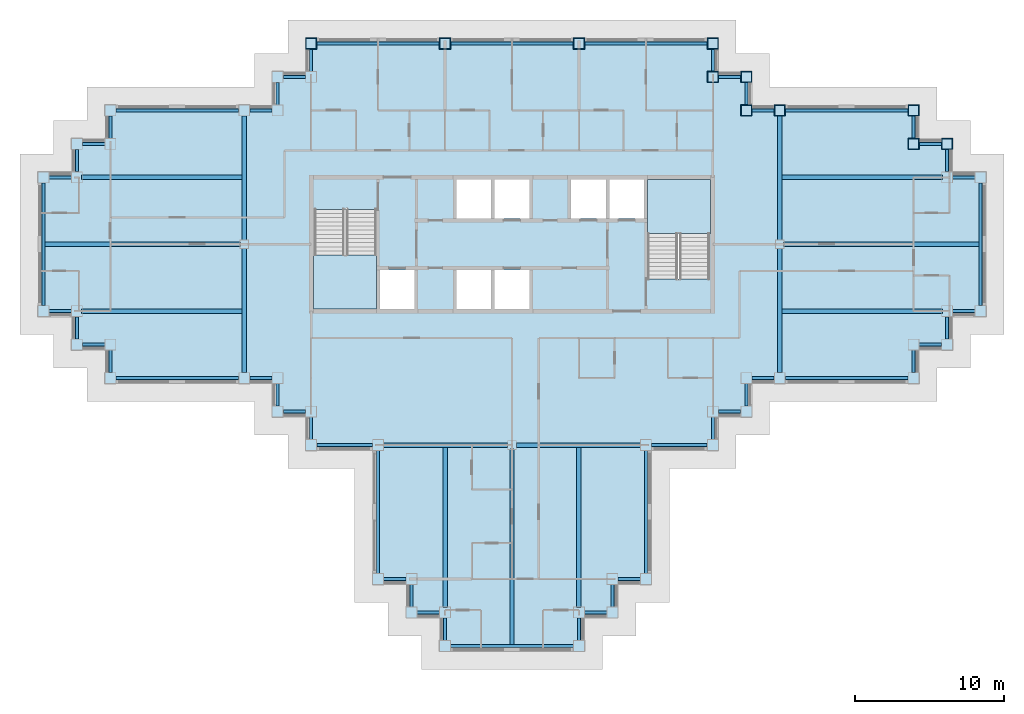
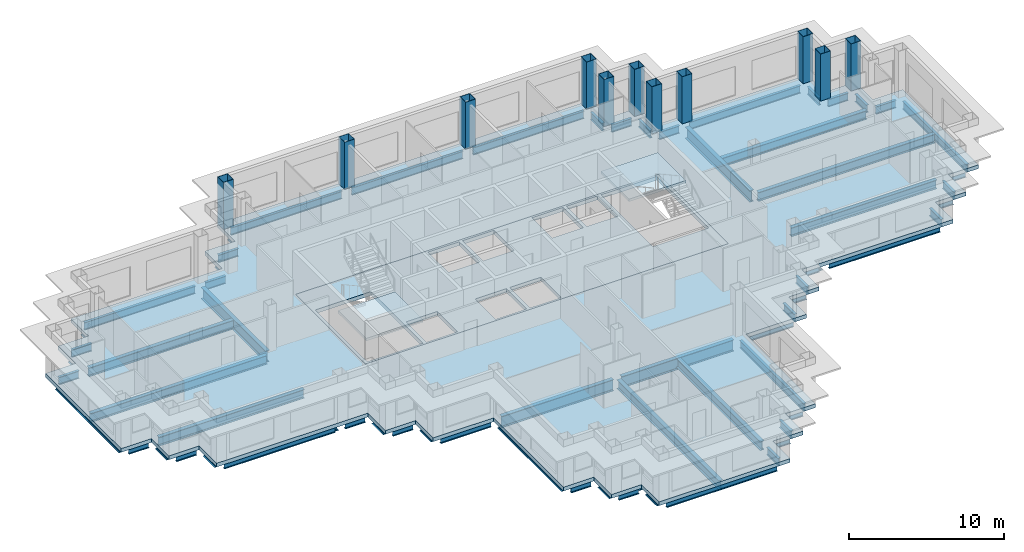
# One storey, part 2 of 13: 69 beams, 11 columns, 4 slabs, 2 elements without a shape of their own.
"""IFC4 building model written with IfcOpenShell, lengths in metres."""

from ifc_helpers import new_model, si_unit, direction, frame, origin, origin_2d, place, context, subcontext, project, spatial, polyline, hollow_rectangle, i_section, outline, extrude, material, layer, layer_set, material_profile, profile_set, type_object, element, aggregate, save


model = new_model("IFC4")

# Units and contexts
model_context = context("Model", 3, precision=1e-05, world=origin(), true_north=direction((0.0, 1.0)))
body_context = subcontext(model_context, "Body", "Model", "MODEL_VIEW")
ifc_project = project(units=[si_unit("LENGTHUNIT", "METRE"), si_unit("AREAUNIT", "SQUARE_METRE"), si_unit("VOLUMEUNIT", "CUBIC_METRE"), si_unit("PLANEANGLEUNIT", "RADIAN"), si_unit("MASSUNIT", "GRAM", prefix="KILO")], contexts=[model_context])

# Site, building, storey
site_placement = place(None, origin())
site = spatial("IfcSite", under=ifc_project, at=site_placement, CompositionType="ELEMENT")
building_placement = place(site_placement, origin())
building = spatial("IfcBuilding", under=site, at=building_placement, Name="Caravel Reach Hotel and Residences", CompositionType="ELEMENT")
storey_placement = place(building_placement, frame((0.0, 0.0, 169.10009765625)))
storey = spatial("IfcBuildingStorey", under=building, at=storey_placement, Name="L42", CompositionType="ELEMENT", Elevation=169.10009765625)

# Columns
ifc_material_1 = material(Name="Concrete-filled steel tube Q390B with Concrete C60 infill", Category="concrete")
ifc_material_profile_1 = material_profile(ifc_material_1, hollow_rectangle(XDim=0.75, YDim=0.75, WallThickness=0.02392578125, at=origin_2d()), Name="RHS 750x750x24")
ifc_profile_set_1 = profile_set([ifc_material_profile_1], Name="Concrete-filled steel tube Q390B with Concrete C60 infill")
column_type = type_object("IfcColumnType", Name="CFT 750x750 Q390B C60", PredefinedType="COLUMN", material=ifc_profile_set_1)
for number, where, z_axis, x_axis, name in (
    (1, (60.75, 33.75, 0.0), (0.0, 0.0, 1.0), (1.0, 0.0, 0.0), "C14 column"),
    (2, (58.5, 33.75, 0.0), (0.0, 0.0, 1.0), (1.0, 0.0, 0.0), "C14 column"),
    (3, (58.5, 36.0, 0.0), (0.0, 0.0, 1.0), (1.0, 0.0, 0.0), "C14 column"),
    (4, (49.5, 36.0, 0.0), (0.0, 0.0, 1.0), (1.0, 0.0, 0.0), "C14 column"),
    (5, (47.25, 36.0, 0.0), (0.0, 0.0, 1.0), (1.0, 0.0, 0.0), "C14 column"),
    (6, (47.25, 38.25, 0.0), (0.0, 0.0, 1.0), (1.0, 0.0, 0.0), "C14 column"),
    (7, (45.0, 38.25, 0.0), (0.0, 0.0, 1.0), (1.0, 0.0, 0.0), "C14 column"),
    (8, (45.0, 40.5, 0.0), (0.0, 0.0, 1.0), (1.0, 0.0, 0.0), "C14 column"),
    (9, (36.0, 40.5, 0.0), (0.0, 0.0, 1.0), (1.0, 0.0, 0.0), "C14 column"),
    (10, (27.0, 40.5, 0.0), (0.0, 0.0, 1.0), (1.0, 0.0, 0.0), "C14 column"),
    (11, (18.0, 40.5, 0.0), (0.0, 0.0, 1.0), (1.0, 0.0, 0.0), "C14 column"),
):
    element("IfcColumn", number, at=place(storey_placement, frame(where, z_axis=z_axis, x_axis=x_axis)), inside=storey, type_object=column_type, Name=name, PredefinedType="COLUMN", context=body_context, shape_type="SweptSolid", body=[
        extrude(hollow_rectangle(XDim=0.75, YDim=0.75, WallThickness=0.02392578125, at=origin_2d()), origin(), (0.0, 0.0, 1.0), 3.699951171875),
    ])

# Beams
ifc_material_2 = material(Name="Structural steel Q355B", Category="steel")
ifc_material_profile_2 = material_profile(ifc_material_2, i_section(OverallWidth=0.300048828125, OverallDepth=0.699951171875, WebThickness=0.012939453125, FlangeThickness=0.02392578125, FilletRadius=0.01806640625, at=origin_2d()), Name="HN 700x300x13x24")
ifc_profile_set_2 = profile_set([ifc_material_profile_2], Name="Structural steel Q355B")
beam_type_1 = type_object("IfcBeamType", Name="Beam HN 700x300x13x24", PredefinedType="BEAM", material=ifc_profile_set_2)
beam_1_placement = place(storey_placement, frame((27.0, 13.39990234375, -0.650146484375), z_axis=(0.0, -1.0, 0.0), x_axis=(1.0, 0.0, 0.0)))
element("IfcBeam", 12, at=beam_1_placement, inside=storey, type_object=beam_type_1, Name="B2 HN 700x300x13x24", PredefinedType="BEAM", context=body_context, shape_type="SweptSolid", body=[
    extrude(i_section(OverallWidth=0.300048828125, OverallDepth=0.699951171875, WebThickness=0.012939453125, FlangeThickness=0.02392578125, FilletRadius=0.01806640625, at=origin_2d()), origin(), (0.0, 0.0, 1.0), 10.824951171875),
])
beam_2_placement = place(storey_placement, frame((31.5, 13.25, -0.650146484375), z_axis=(0.0, -1.0, 0.0), x_axis=(1.0, 0.0, 0.0)))
element("IfcBeam", 13, at=beam_2_placement, inside=storey, type_object=beam_type_1, Name="B2 HN 700x300x13x24", PredefinedType="BEAM", context=body_context, shape_type="SweptSolid", body=[
    extrude(i_section(OverallWidth=0.300048828125, OverallDepth=0.699951171875, WebThickness=0.012939453125, FlangeThickness=0.02392578125, FilletRadius=0.01806640625, at=origin_2d()), origin(), (0.0, 0.0, 1.0), 13.14990234375),
])
for number, where, z_axis, x_axis, name in (
    (14, (36.0, 13.39990234375, -0.650146484375), (0.0, -1.0, 0.0), (1.0, 0.0, 0.0), "B2 HN 700x300x13x24"),
    (15, (49.60009765625, 22.5, -0.650146484375), (1.0, 0.0, 0.0), (0.0, 1.0, 0.0), "B2 HN 700x300x13x24"),
):
    element("IfcBeam", number, at=place(storey_placement, frame(where, z_axis=z_axis, x_axis=x_axis)), inside=storey, type_object=beam_type_1, Name=name, PredefinedType="BEAM", context=body_context, shape_type="SweptSolid", body=[
        extrude(i_section(OverallWidth=0.300048828125, OverallDepth=0.699951171875, WebThickness=0.012939453125, FlangeThickness=0.02392578125, FilletRadius=0.01806640625, at=origin_2d()), origin(), (0.0, 0.0, 1.0), 10.824951171875),
    ])
beam_3_placement = place(storey_placement, frame((49.75, 27.0, -0.650146484375), z_axis=(1.0, 0.0, 0.0), x_axis=(0.0, 1.0, 0.0)))
element("IfcBeam", 16, at=beam_3_placement, inside=storey, type_object=beam_type_1, Name="B2 HN 700x300x13x24", PredefinedType="BEAM", context=body_context, shape_type="SweptSolid", body=[
    extrude(i_section(OverallWidth=0.300048828125, OverallDepth=0.699951171875, WebThickness=0.012939453125, FlangeThickness=0.02392578125, FilletRadius=0.01806640625, at=origin_2d()), origin(), (0.0, 0.0, 1.0), 13.14990234375),
])
for number, where, z_axis, x_axis, name in (
    (17, (49.60009765625, 31.5, -0.650146484375), (1.0, 0.0, 0.0), (0.0, 1.0, 0.0), "B2 HN 700x300x13x24"),
    (18, (13.39990234375, 22.5, -0.650146484375), (-1.0, 0.0, 0.0), (0.0, -1.0, 0.0), "B2 HN 700x300x13x24"),
):
    element("IfcBeam", number, at=place(storey_placement, frame(where, z_axis=z_axis, x_axis=x_axis)), inside=storey, type_object=beam_type_1, Name=name, PredefinedType="BEAM", context=body_context, shape_type="SweptSolid", body=[
        extrude(i_section(OverallWidth=0.300048828125, OverallDepth=0.699951171875, WebThickness=0.012939453125, FlangeThickness=0.02392578125, FilletRadius=0.01806640625, at=origin_2d()), origin(), (0.0, 0.0, 1.0), 10.824951171875),
    ])
beam_4_placement = place(storey_placement, frame((13.25, 27.0, -0.650146484375), z_axis=(-1.0, 0.0, 0.0), x_axis=(0.0, -1.0, 0.0)))
element("IfcBeam", 19, at=beam_4_placement, inside=storey, type_object=beam_type_1, Name="B2 HN 700x300x13x24", PredefinedType="BEAM", context=body_context, shape_type="SweptSolid", body=[
    extrude(i_section(OverallWidth=0.300048828125, OverallDepth=0.699951171875, WebThickness=0.012939453125, FlangeThickness=0.02392578125, FilletRadius=0.01806640625, at=origin_2d()), origin(), (0.0, 0.0, 1.0), 13.14990234375),
])
beam_5_placement = place(storey_placement, frame((13.39990234375, 31.5, -0.650146484375), z_axis=(-1.0, 0.0, 0.0), x_axis=(0.0, -1.0, 0.0)))
element("IfcBeam", 20, at=beam_5_placement, inside=storey, type_object=beam_type_1, Name="B2 HN 700x300x13x24", PredefinedType="BEAM", context=body_context, shape_type="SweptSolid", body=[
    extrude(i_section(OverallWidth=0.300048828125, OverallDepth=0.699951171875, WebThickness=0.012939453125, FlangeThickness=0.02392578125, FilletRadius=0.01806640625, at=origin_2d()), origin(), (0.0, 0.0, 1.0), 10.824951171875),
])
ifc_material_3 = material(Name="Structural steel Q355B", Category="steel")
ifc_material_profile_3 = material_profile(ifc_material_3, i_section(OverallWidth=0.300048828125, OverallDepth=0.89990234375, WebThickness=0.01611328125, FlangeThickness=0.028076171875, FilletRadius=0.01806640625, at=origin_2d()), Name="HN 900x300x16x28")
ifc_profile_set_3 = profile_set([ifc_material_profile_3], Name="Structural steel Q355B")
beam_type_2 = type_object("IfcBeamType", Name="Beam HN 900x300x16x28", PredefinedType="BEAM", material=ifc_profile_set_3)
for number, where, z_axis, x_axis, name in (
    (21, (22.875, 13.5, -0.75), (1.0, 0.0, 0.0), (0.0, 1.0, 0.0), "B3 HN 900x300x16x28"),
    (22, (31.800048828125, 13.5, -0.75), (1.0, 0.0, 0.0), (0.0, 1.0, 0.0), "B3 HN 900x300x16x28"),
    (23, (13.5, 18.375, -0.75), (0.0, 1.0, 0.0), (-1.0, 0.0, 0.0), "B3 HN 900x300x16x28"),
    (24, (13.5, 27.300048828125, -0.75), (0.0, 1.0, 0.0), (-1.0, 0.0, 0.0), "B3 HN 900x300x16x28"),
    (25, (49.5, 18.375, -0.75), (0.0, 1.0, 0.0), (-1.0, 0.0, 0.0), "B3 HN 900x300x16x28"),
    (26, (49.5, 27.300048828125, -0.75), (0.0, 1.0, 0.0), (-1.0, 0.0, 0.0), "B3 HN 900x300x16x28"),
):
    element("IfcBeam", number, at=place(storey_placement, frame(where, z_axis=z_axis, x_axis=x_axis)), inside=storey, type_object=beam_type_2, Name=name, PredefinedType="BEAM", context=body_context, shape_type="SweptSolid", body=[
        extrude(i_section(OverallWidth=0.300048828125, OverallDepth=0.89990234375, WebThickness=0.01611328125, FlangeThickness=0.028076171875, FilletRadius=0.01806640625, at=origin_2d()), origin(), (0.0, 0.0, 1.0), 8.324951171875),
    ])
ifc_material_4 = material(Name="Structural steel Q355B", Category="steel")
ifc_material_profile_4 = material_profile(ifc_material_4, i_section(OverallWidth=0.199951171875, OverallDepth=0.60009765625, WebThickness=0.010986328125, FlangeThickness=0.01708984375, FilletRadius=0.012939453125, at=origin_2d()), Name="HN 600x200x11x17")
ifc_profile_set_4 = profile_set([ifc_material_profile_4], Name="Structural steel Q355B")
beam_type_3 = type_object("IfcBeamType", Name="Spandrel beam HN 600x200x11x17", PredefinedType="SPANDREL", material=ifc_profile_set_4)
for number, where, z_axis, x_axis, name in (
    (27, (22.875, 4.5, -0.60009765625), (1.0, 0.0, 0.0), (0.0, 1.0, 0.0), "SP1 HN 600x200x11x17"),
    (28, (24.75, 4.125, -0.60009765625), (0.0, -1.0, 0.0), (1.0, 0.0, 0.0), "SP1 HN 600x200x11x17"),
    (29, (25.125, 2.25, -0.60009765625), (1.0, 0.0, 0.0), (0.0, 1.0, 0.0), "SP1 HN 600x200x11x17"),
    (30, (27.0, 1.875, -0.60009765625), (0.0, -1.0, 0.0), (1.0, 0.0, 0.0), "SP1 HN 600x200x11x17"),
):
    element("IfcBeam", number, at=place(storey_placement, frame(where, z_axis=z_axis, x_axis=x_axis)), inside=storey, type_object=beam_type_3, Name=name, PredefinedType="SPANDREL", context=body_context, shape_type="SweptSolid", body=[
        extrude(i_section(OverallWidth=0.199951171875, OverallDepth=0.60009765625, WebThickness=0.010986328125, FlangeThickness=0.01708984375, FilletRadius=0.012939453125, at=origin_2d()), origin(), (0.0, 0.0, 1.0), 1.5),
    ])
beam_6_placement = place(storey_placement, frame((27.375, 0.0, -0.60009765625), z_axis=(1.0, 0.0, 0.0), x_axis=(0.0, 1.0, 0.0)))
element("IfcBeam", 31, at=beam_6_placement, inside=storey, type_object=beam_type_3, Name="SP1 HN 600x200x11x17", PredefinedType="SPANDREL", context=body_context, shape_type="SweptSolid", body=[
    extrude(i_section(OverallWidth=0.199951171875, OverallDepth=0.60009765625, WebThickness=0.010986328125, FlangeThickness=0.01708984375, FilletRadius=0.012939453125, at=origin_2d()), origin(), (0.0, 0.0, 1.0), 8.25),
])
for number, where, z_axis, x_axis, name in (
    (32, (36.0, 0.375, -0.60009765625), (0.0, 1.0, 0.0), (-1.0, 0.0, 0.0), "SP1 HN 600x200x11x17"),
    (33, (36.375, 2.25, -0.60009765625), (1.0, 0.0, 0.0), (0.0, 1.0, 0.0), "SP1 HN 600x200x11x17"),
    (34, (38.25, 2.625, -0.60009765625), (0.0, 1.0, 0.0), (-1.0, 0.0, 0.0), "SP1 HN 600x200x11x17"),
    (35, (38.625, 4.5, -0.60009765625), (1.0, 0.0, 0.0), (0.0, 1.0, 0.0), "SP1 HN 600x200x11x17"),
):
    element("IfcBeam", number, at=place(storey_placement, frame(where, z_axis=z_axis, x_axis=x_axis)), inside=storey, type_object=beam_type_3, Name=name, PredefinedType="SPANDREL", context=body_context, shape_type="SweptSolid", body=[
        extrude(i_section(OverallWidth=0.199951171875, OverallDepth=0.60009765625, WebThickness=0.010986328125, FlangeThickness=0.01708984375, FilletRadius=0.012939453125, at=origin_2d()), origin(), (0.0, 0.0, 1.0), 1.5),
    ])
beam_7_placement = place(storey_placement, frame((40.5, 4.875, -0.60009765625), z_axis=(0.0, 1.0, 0.0), x_axis=(-1.0, 0.0, 0.0)))
element("IfcBeam", 36, at=beam_7_placement, inside=storey, type_object=beam_type_3, Name="SP1 HN 600x200x11x17", PredefinedType="SPANDREL", context=body_context, shape_type="SweptSolid", body=[
    extrude(i_section(OverallWidth=0.199951171875, OverallDepth=0.60009765625, WebThickness=0.010986328125, FlangeThickness=0.01708984375, FilletRadius=0.012939453125, at=origin_2d()), origin(), (0.0, 0.0, 1.0), 8.25),
])
beam_8_placement = place(storey_placement, frame((40.875, 13.5, -0.60009765625), z_axis=(1.0, 0.0, 0.0), x_axis=(0.0, 1.0, 0.0)))
element("IfcBeam", 37, at=beam_8_placement, inside=storey, type_object=beam_type_3, Name="SP1 HN 600x200x11x17", PredefinedType="SPANDREL", context=body_context, shape_type="SweptSolid", body=[
    extrude(i_section(OverallWidth=0.199951171875, OverallDepth=0.60009765625, WebThickness=0.010986328125, FlangeThickness=0.01708984375, FilletRadius=0.012939453125, at=origin_2d()), origin(), (0.0, 0.0, 1.0), 3.75),
])
for number, where, z_axis, x_axis, name in (
    (38, (45.0, 13.875, -0.60009765625), (0.0, 1.0, 0.0), (-1.0, 0.0, 0.0), "SP1 HN 600x200x11x17"),
    (39, (45.375, 15.75, -0.60009765625), (1.0, 0.0, 0.0), (0.0, 1.0, 0.0), "SP1 HN 600x200x11x17"),
    (40, (47.25, 16.125, -0.60009765625), (0.0, 1.0, 0.0), (-1.0, 0.0, 0.0), "SP1 HN 600x200x11x17"),
    (41, (47.625, 18.0, -0.60009765625), (1.0, 0.0, 0.0), (0.0, 1.0, 0.0), "SP1 HN 600x200x11x17"),
):
    element("IfcBeam", number, at=place(storey_placement, frame(where, z_axis=z_axis, x_axis=x_axis)), inside=storey, type_object=beam_type_3, Name=name, PredefinedType="SPANDREL", context=body_context, shape_type="SweptSolid", body=[
        extrude(i_section(OverallWidth=0.199951171875, OverallDepth=0.60009765625, WebThickness=0.010986328125, FlangeThickness=0.01708984375, FilletRadius=0.012939453125, at=origin_2d()), origin(), (0.0, 0.0, 1.0), 1.5),
    ])
beam_9_placement = place(storey_placement, frame((49.875, 18.0, -0.60009765625), z_axis=(1.0, 0.0, 0.0), x_axis=(0.0, 1.0, 0.0)))
element("IfcBeam", 42, at=beam_9_placement, inside=storey, type_object=beam_type_3, Name="SP1 HN 600x200x11x17", PredefinedType="SPANDREL", context=body_context, shape_type="SweptSolid", body=[
    extrude(i_section(OverallWidth=0.199951171875, OverallDepth=0.60009765625, WebThickness=0.010986328125, FlangeThickness=0.01708984375, FilletRadius=0.012939453125, at=origin_2d()), origin(), (0.0, 0.0, 1.0), 8.25),
])
for number, where, z_axis, x_axis, name in (
    (43, (58.5, 18.375, -0.60009765625), (0.0, 1.0, 0.0), (-1.0, 0.0, 0.0), "SP1 HN 600x200x11x17"),
    (44, (58.875, 20.25, -0.60009765625), (1.0, 0.0, 0.0), (0.0, 1.0, 0.0), "SP1 HN 600x200x11x17"),
    (45, (60.75, 20.625, -0.60009765625), (0.0, 1.0, 0.0), (-1.0, 0.0, 0.0), "SP1 HN 600x200x11x17"),
    (46, (61.125, 22.5, -0.60009765625), (1.0, 0.0, 0.0), (0.0, 1.0, 0.0), "SP1 HN 600x200x11x17"),
):
    element("IfcBeam", number, at=place(storey_placement, frame(where, z_axis=z_axis, x_axis=x_axis)), inside=storey, type_object=beam_type_3, Name=name, PredefinedType="SPANDREL", context=body_context, shape_type="SweptSolid", body=[
        extrude(i_section(OverallWidth=0.199951171875, OverallDepth=0.60009765625, WebThickness=0.010986328125, FlangeThickness=0.01708984375, FilletRadius=0.012939453125, at=origin_2d()), origin(), (0.0, 0.0, 1.0), 1.5),
    ])
beam_10_placement = place(storey_placement, frame((63.0, 22.875, -0.60009765625), z_axis=(0.0, 1.0, 0.0), x_axis=(-1.0, 0.0, 0.0)))
element("IfcBeam", 47, at=beam_10_placement, inside=storey, type_object=beam_type_3, Name="SP1 HN 600x200x11x17", PredefinedType="SPANDREL", context=body_context, shape_type="SweptSolid", body=[
    extrude(i_section(OverallWidth=0.199951171875, OverallDepth=0.60009765625, WebThickness=0.010986328125, FlangeThickness=0.01708984375, FilletRadius=0.012939453125, at=origin_2d()), origin(), (0.0, 0.0, 1.0), 8.25),
])
for number, where, z_axis, x_axis, name in (
    (48, (62.625, 31.5, -0.60009765625), (-1.0, 0.0, 0.0), (0.0, -1.0, 0.0), "SP1 HN 600x200x11x17"),
    (49, (60.75, 31.875, -0.60009765625), (0.0, 1.0, 0.0), (-1.0, 0.0, 0.0), "SP1 HN 600x200x11x17"),
    (50, (60.375, 33.75, -0.60009765625), (-1.0, 0.0, 0.0), (0.0, -1.0, 0.0), "SP1 HN 600x200x11x17"),
    (51, (58.5, 34.125, -0.60009765625), (0.0, 1.0, 0.0), (-1.0, 0.0, 0.0), "SP1 HN 600x200x11x17"),
):
    element("IfcBeam", number, at=place(storey_placement, frame(where, z_axis=z_axis, x_axis=x_axis)), inside=storey, type_object=beam_type_3, Name=name, PredefinedType="SPANDREL", context=body_context, shape_type="SweptSolid", body=[
        extrude(i_section(OverallWidth=0.199951171875, OverallDepth=0.60009765625, WebThickness=0.010986328125, FlangeThickness=0.01708984375, FilletRadius=0.012939453125, at=origin_2d()), origin(), (0.0, 0.0, 1.0), 1.5),
    ])
beam_11_placement = place(storey_placement, frame((58.125, 36.0, -0.60009765625), z_axis=(-1.0, 0.0, 0.0), x_axis=(0.0, -1.0, 0.0)))
element("IfcBeam", 52, at=beam_11_placement, inside=storey, type_object=beam_type_3, Name="SP1 HN 600x200x11x17", PredefinedType="SPANDREL", context=body_context, shape_type="SweptSolid", body=[
    extrude(i_section(OverallWidth=0.199951171875, OverallDepth=0.60009765625, WebThickness=0.010986328125, FlangeThickness=0.01708984375, FilletRadius=0.012939453125, at=origin_2d()), origin(), (0.0, 0.0, 1.0), 8.25),
])
for number, where, z_axis, x_axis, name in (
    (53, (49.125, 36.0, -0.60009765625), (-1.0, 0.0, 0.0), (0.0, -1.0, 0.0), "SP1 HN 600x200x11x17"),
    (54, (47.25, 36.375, -0.60009765625), (0.0, 1.0, 0.0), (-1.0, 0.0, 0.0), "SP1 HN 600x200x11x17"),
    (55, (46.875, 38.25, -0.60009765625), (-1.0, 0.0, 0.0), (0.0, -1.0, 0.0), "SP1 HN 600x200x11x17"),
    (56, (45.0, 38.625, -0.60009765625), (0.0, 1.0, 0.0), (-1.0, 0.0, 0.0), "SP1 HN 600x200x11x17"),
):
    element("IfcBeam", number, at=place(storey_placement, frame(where, z_axis=z_axis, x_axis=x_axis)), inside=storey, type_object=beam_type_3, Name=name, PredefinedType="SPANDREL", context=body_context, shape_type="SweptSolid", body=[
        extrude(i_section(OverallWidth=0.199951171875, OverallDepth=0.60009765625, WebThickness=0.010986328125, FlangeThickness=0.01708984375, FilletRadius=0.012939453125, at=origin_2d()), origin(), (0.0, 0.0, 1.0), 1.5),
    ])
for number, where, z_axis, x_axis, name in (
    (57, (44.625, 40.5, -0.60009765625), (-1.0, 0.0, 0.0), (0.0, -1.0, 0.0), "SP1 HN 600x200x11x17"),
    (58, (35.625, 40.5, -0.60009765625), (-1.0, 0.0, 0.0), (0.0, -1.0, 0.0), "SP1 HN 600x200x11x17"),
    (59, (26.625, 40.5, -0.60009765625), (-1.0, 0.0, 0.0), (0.0, -1.0, 0.0), "SP1 HN 600x200x11x17"),
):
    element("IfcBeam", number, at=place(storey_placement, frame(where, z_axis=z_axis, x_axis=x_axis)), inside=storey, type_object=beam_type_3, Name=name, PredefinedType="SPANDREL", context=body_context, shape_type="SweptSolid", body=[
        extrude(i_section(OverallWidth=0.199951171875, OverallDepth=0.60009765625, WebThickness=0.010986328125, FlangeThickness=0.01708984375, FilletRadius=0.012939453125, at=origin_2d()), origin(), (0.0, 0.0, 1.0), 8.25),
    ])
for number, where, z_axis, x_axis, name in (
    (60, (18.0, 40.125, -0.60009765625), (0.0, -1.0, 0.0), (1.0, 0.0, 0.0), "SP1 HN 600x200x11x17"),
    (61, (17.625, 38.25, -0.60009765625), (-1.0, 0.0, 0.0), (0.0, -1.0, 0.0), "SP1 HN 600x200x11x17"),
    (62, (15.75, 37.875, -0.60009765625), (0.0, -1.0, 0.0), (1.0, 0.0, 0.0), "SP1 HN 600x200x11x17"),
    (63, (15.375, 36.0, -0.60009765625), (-1.0, 0.0, 0.0), (0.0, -1.0, 0.0), "SP1 HN 600x200x11x17"),
):
    element("IfcBeam", number, at=place(storey_placement, frame(where, z_axis=z_axis, x_axis=x_axis)), inside=storey, type_object=beam_type_3, Name=name, PredefinedType="SPANDREL", context=body_context, shape_type="SweptSolid", body=[
        extrude(i_section(OverallWidth=0.199951171875, OverallDepth=0.60009765625, WebThickness=0.010986328125, FlangeThickness=0.01708984375, FilletRadius=0.012939453125, at=origin_2d()), origin(), (0.0, 0.0, 1.0), 1.5),
    ])
beam_12_placement = place(storey_placement, frame((13.125, 36.0, -0.60009765625), z_axis=(-1.0, 0.0, 0.0), x_axis=(0.0, -1.0, 0.0)))
element("IfcBeam", 64, at=beam_12_placement, inside=storey, type_object=beam_type_3, Name="SP1 HN 600x200x11x17", PredefinedType="SPANDREL", context=body_context, shape_type="SweptSolid", body=[
    extrude(i_section(OverallWidth=0.199951171875, OverallDepth=0.60009765625, WebThickness=0.010986328125, FlangeThickness=0.01708984375, FilletRadius=0.012939453125, at=origin_2d()), origin(), (0.0, 0.0, 1.0), 8.25),
])
for number, where, z_axis, x_axis, name in (
    (65, (4.5, 35.625, -0.60009765625), (0.0, -1.0, 0.0), (1.0, 0.0, 0.0), "SP1 HN 600x200x11x17"),
    (66, (4.125, 33.75, -0.60009765625), (-1.0, 0.0, 0.0), (0.0, -1.0, 0.0), "SP1 HN 600x200x11x17"),
    (67, (2.25, 33.375, -0.60009765625), (0.0, -1.0, 0.0), (1.0, 0.0, 0.0), "SP1 HN 600x200x11x17"),
    (68, (1.875, 31.5, -0.60009765625), (-1.0, 0.0, 0.0), (0.0, -1.0, 0.0), "SP1 HN 600x200x11x17"),
):
    element("IfcBeam", number, at=place(storey_placement, frame(where, z_axis=z_axis, x_axis=x_axis)), inside=storey, type_object=beam_type_3, Name=name, PredefinedType="SPANDREL", context=body_context, shape_type="SweptSolid", body=[
        extrude(i_section(OverallWidth=0.199951171875, OverallDepth=0.60009765625, WebThickness=0.010986328125, FlangeThickness=0.01708984375, FilletRadius=0.012939453125, at=origin_2d()), origin(), (0.0, 0.0, 1.0), 1.5),
    ])
beam_13_placement = place(storey_placement, frame((0.0, 31.125, -0.60009765625), z_axis=(0.0, -1.0, 0.0), x_axis=(1.0, 0.0, 0.0)))
element("IfcBeam", 69, at=beam_13_placement, inside=storey, type_object=beam_type_3, Name="SP1 HN 600x200x11x17", PredefinedType="SPANDREL", context=body_context, shape_type="SweptSolid", body=[
    extrude(i_section(OverallWidth=0.199951171875, OverallDepth=0.60009765625, WebThickness=0.010986328125, FlangeThickness=0.01708984375, FilletRadius=0.012939453125, at=origin_2d()), origin(), (0.0, 0.0, 1.0), 8.25),
])
for number, where, z_axis, x_axis, name in (
    (70, (0.375, 22.5, -0.60009765625), (1.0, 0.0, 0.0), (0.0, 1.0, 0.0), "SP1 HN 600x200x11x17"),
    (71, (2.25, 22.125, -0.60009765625), (0.0, -1.0, 0.0), (1.0, 0.0, 0.0), "SP1 HN 600x200x11x17"),
    (72, (2.625, 20.25, -0.60009765625), (1.0, 0.0, 0.0), (0.0, 1.0, 0.0), "SP1 HN 600x200x11x17"),
    (73, (4.5, 19.875, -0.60009765625), (0.0, -1.0, 0.0), (1.0, 0.0, 0.0), "SP1 HN 600x200x11x17"),
):
    element("IfcBeam", number, at=place(storey_placement, frame(where, z_axis=z_axis, x_axis=x_axis)), inside=storey, type_object=beam_type_3, Name=name, PredefinedType="SPANDREL", context=body_context, shape_type="SweptSolid", body=[
        extrude(i_section(OverallWidth=0.199951171875, OverallDepth=0.60009765625, WebThickness=0.010986328125, FlangeThickness=0.01708984375, FilletRadius=0.012939453125, at=origin_2d()), origin(), (0.0, 0.0, 1.0), 1.5),
    ])
beam_14_placement = place(storey_placement, frame((4.875, 18.0, -0.60009765625), z_axis=(1.0, 0.0, 0.0), x_axis=(0.0, 1.0, 0.0)))
element("IfcBeam", 74, at=beam_14_placement, inside=storey, type_object=beam_type_3, Name="SP1 HN 600x200x11x17", PredefinedType="SPANDREL", context=body_context, shape_type="SweptSolid", body=[
    extrude(i_section(OverallWidth=0.199951171875, OverallDepth=0.60009765625, WebThickness=0.010986328125, FlangeThickness=0.01708984375, FilletRadius=0.012939453125, at=origin_2d()), origin(), (0.0, 0.0, 1.0), 8.25),
])
for number, where, z_axis, x_axis, name in (
    (75, (13.875, 18.0, -0.60009765625), (1.0, 0.0, 0.0), (0.0, 1.0, 0.0), "SP1 HN 600x200x11x17"),
    (76, (15.75, 17.625, -0.60009765625), (0.0, -1.0, 0.0), (1.0, 0.0, 0.0), "SP1 HN 600x200x11x17"),
    (77, (16.125, 15.75, -0.60009765625), (1.0, 0.0, 0.0), (0.0, 1.0, 0.0), "SP1 HN 600x200x11x17"),
    (78, (18.0, 15.375, -0.60009765625), (0.0, -1.0, 0.0), (1.0, 0.0, 0.0), "SP1 HN 600x200x11x17"),
):
    element("IfcBeam", number, at=place(storey_placement, frame(where, z_axis=z_axis, x_axis=x_axis)), inside=storey, type_object=beam_type_3, Name=name, PredefinedType="SPANDREL", context=body_context, shape_type="SweptSolid", body=[
        extrude(i_section(OverallWidth=0.199951171875, OverallDepth=0.60009765625, WebThickness=0.010986328125, FlangeThickness=0.01708984375, FilletRadius=0.012939453125, at=origin_2d()), origin(), (0.0, 0.0, 1.0), 1.5),
    ])
beam_15_placement = place(storey_placement, frame((18.375, 13.5, -0.60009765625), z_axis=(1.0, 0.0, 0.0), x_axis=(0.0, 1.0, 0.0)))
element("IfcBeam", 79, at=beam_15_placement, inside=storey, type_object=beam_type_3, Name="SP1 HN 600x200x11x17", PredefinedType="SPANDREL", context=body_context, shape_type="SweptSolid", body=[
    extrude(i_section(OverallWidth=0.199951171875, OverallDepth=0.60009765625, WebThickness=0.010986328125, FlangeThickness=0.01708984375, FilletRadius=0.012939453125, at=origin_2d()), origin(), (0.0, 0.0, 1.0), 3.75),
])
beam_16_placement = place(storey_placement, frame((22.5, 13.125, -0.60009765625), z_axis=(0.0, -1.0, 0.0), x_axis=(1.0, 0.0, 0.0)))
element("IfcBeam", 80, at=beam_16_placement, inside=storey, type_object=beam_type_3, Name="SP1 HN 600x200x11x17", PredefinedType="SPANDREL", context=body_context, shape_type="SweptSolid", body=[
    extrude(i_section(OverallWidth=0.199951171875, OverallDepth=0.60009765625, WebThickness=0.010986328125, FlangeThickness=0.01708984375, FilletRadius=0.012939453125, at=origin_2d()), origin(), (0.0, 0.0, 1.0), 8.25),
])

# Slab
ifc_material_5 = material(Name="Concrete C40", Category="concrete")
ifc_layer_1 = layer(ifc_material_5, 0.300048828125)
ifc_layer_set_1 = layer_set([ifc_layer_1], Name="Core floor slab 300 mm")
slab_type_1 = type_object("IfcSlabType", Name="Core floor slab 300 mm", PredefinedType="FLOOR", material=ifc_layer_set_1)
slab_1_placement = place(storey_placement, frame((0.0, 0.0, -0.300048828125)))
element("IfcSlab", 81, at=slab_1_placement, inside=storey, type_object=slab_type_1, Name="L42 core floor", PredefinedType="FLOOR", context=body_context, shape_type="SweptSolid", body=[
    extrude(outline(polyline([(18.0, 31.5), (45.0, 31.5), (45.0, 22.5), (18.0, 22.5), (18.0, 31.5)]), holes=[polyline([(22.625, 25.27490234375), (22.625, 22.64990234375), (24.9462890625, 22.64990234375), (24.9462890625, 25.27490234375), (22.625, 25.27490234375)]), polyline([(27.767822265625, 25.27490234375), (27.767822265625, 22.64990234375), (30.08935546875, 22.64990234375), (30.08935546875, 25.27490234375), (27.767822265625, 25.27490234375)]), polyline([(30.33935546875, 25.27490234375), (30.33935546875, 22.64990234375), (32.66064453125, 22.64990234375), (32.66064453125, 25.27490234375), (30.33935546875, 25.27490234375)]), polyline([(22.375, 22.64990234375), (22.375, 29.35009765625), (18.22509765625, 29.35009765625), (18.22509765625, 22.64990234375), (22.375, 22.64990234375)]), polyline([(40.625, 31.35009765625), (40.625, 24.64990234375), (44.77490234375, 24.64990234375), (44.77490234375, 31.35009765625), (40.625, 31.35009765625)]), polyline([(27.767822265625, 31.35009765625), (27.767822265625, 28.72509765625), (30.08935546875, 28.72509765625), (30.08935546875, 31.35009765625), (27.767822265625, 31.35009765625)]), polyline([(30.33935546875, 31.35009765625), (30.33935546875, 28.72509765625), (32.66064453125, 28.72509765625), (32.66064453125, 31.35009765625), (30.33935546875, 31.35009765625)]), polyline([(37.8037109375, 31.35009765625), (35.482177734375, 31.35009765625), (35.482177734375, 28.72509765625), (37.8037109375, 28.72509765625), (37.8037109375, 31.35009765625)]), polyline([(40.375, 31.35009765625), (38.0537109375, 31.35009765625), (38.0537109375, 28.72509765625), (40.375, 28.72509765625), (40.375, 31.35009765625)])]), origin(), (0.0, 0.0, 1.0), 0.300048828125),
])

# Stair, slab
ifc_material_6 = material(Name="Concrete C40", Category="concrete")
stair_type = type_object("IfcStairType", Name="Core stair", PredefinedType="HALF_TURN_STAIR", material=ifc_material_6)
stair_1_placement = place(storey_placement, origin())
stair_1 = element("IfcStair", 82, at=stair_1_placement, inside=storey, type_object=stair_type, Name="L42 Exit stair A", PredefinedType="HALF_TURN_STAIR")
ifc_material_7 = material(Name="Concrete C40", Category="concrete")
ifc_layer_2 = layer(ifc_material_7, 0.199951171875)
ifc_layer_set_2 = layer_set([ifc_layer_2], Name="Core stair landing")
slab_type_2 = type_object("IfcSlabType", Name="Core stair landing", PredefinedType="LANDING", material=ifc_layer_set_2)
slab_2_placement = place(storey_placement, frame((0.0, 0.0, 1.64990234375)))
slab_2 = element("IfcSlab", 83, at=slab_2_placement, type_object=slab_type_2, Name="ST-A landing 1", PredefinedType="LANDING", context=body_context, shape_type="SweptSolid", body=[
    extrude(outline(polyline([(18.14990234375, 26.27001953125), (18.14990234375, 22.64990234375), (22.375, 22.64990234375), (22.375, 26.27001953125), (18.14990234375, 26.27001953125)])), origin(), (0.0, 0.0, 1.0), 0.199951171875),
])
aggregate(stair_1, [slab_2])

stair_2_placement = place(storey_placement, origin())
stair_2 = element("IfcStair", 84, at=stair_2_placement, inside=storey, type_object=stair_type, Name="L42 Exit stair B", PredefinedType="HALF_TURN_STAIR")
slab_3_placement = place(storey_placement, frame((0.0, 0.0, 1.64990234375)))
slab_3 = element("IfcSlab", 85, at=slab_3_placement, type_object=slab_type_2, Name="ST-B landing 1", PredefinedType="LANDING", context=body_context, shape_type="SweptSolid", body=[
    extrude(outline(polyline([(44.85009765625, 27.72998046875), (44.85009765625, 31.35009765625), (40.625, 31.35009765625), (40.625, 27.72998046875), (44.85009765625, 27.72998046875)])), origin(), (0.0, 0.0, 1.0), 0.199951171875),
])
aggregate(stair_2, [slab_3])

# Slab
ifc_material_8 = material(Name="Concrete C40 post-tensioned", Category="concrete")
ifc_layer_3 = layer(ifc_material_8, 0.300048828125)
ifc_layer_set_3 = layer_set([ifc_layer_3], Name="Floor slab 300")
slab_type_3 = type_object("IfcSlabType", Name="Floor slab 300", PredefinedType="FLOOR", material=ifc_layer_set_3)
slab_4_placement = place(storey_placement, frame((0.0, 0.0, -0.300048828125)))
element("IfcSlab", 86, at=slab_4_placement, inside=storey, type_object=slab_type_3, Name="S2 slab L42", PredefinedType="FLOOR", context=body_context, shape_type="SweptSolid", body=[
    extrude(outline(polyline([(17.625, 13.125), (17.625, 15.375), (15.375, 15.375), (15.375, 17.625), (4.125, 17.625), (4.125, 19.875), (1.875, 19.875), (1.875, 22.125), (-0.375, 22.125), (-0.375, 31.875), (1.875, 31.875), (1.875, 34.125), (4.125, 34.125), (4.125, 36.375), (15.375, 36.375), (15.375, 38.625), (17.625, 38.625), (17.625, 40.875), (45.375, 40.875), (45.375, 38.625), (47.625, 38.625), (47.625, 36.375), (58.875, 36.375), (58.875, 34.125), (61.125, 34.125), (61.125, 31.875), (63.375, 31.875), (63.375, 22.125), (61.125, 22.125), (61.125, 19.875), (58.875, 19.875), (58.875, 17.625), (47.625, 17.625), (47.625, 15.375), (45.375, 15.375), (45.375, 13.125), (40.875, 13.125), (40.875, 4.125), (38.625, 4.125), (38.625, 1.875), (36.375, 1.875), (36.375, -0.375), (26.625, -0.375), (26.625, 1.875), (24.375, 1.875), (24.375, 4.125), (22.125, 4.125), (22.125, 13.125), (17.625, 13.125)]), holes=[polyline([(45.0, 31.5), (18.0, 31.5), (18.0, 22.5), (45.0, 22.5), (45.0, 31.5)])]), origin(), (0.0, 0.0, 1.0), 0.300048828125),
])

save(model, "model.ifc")
